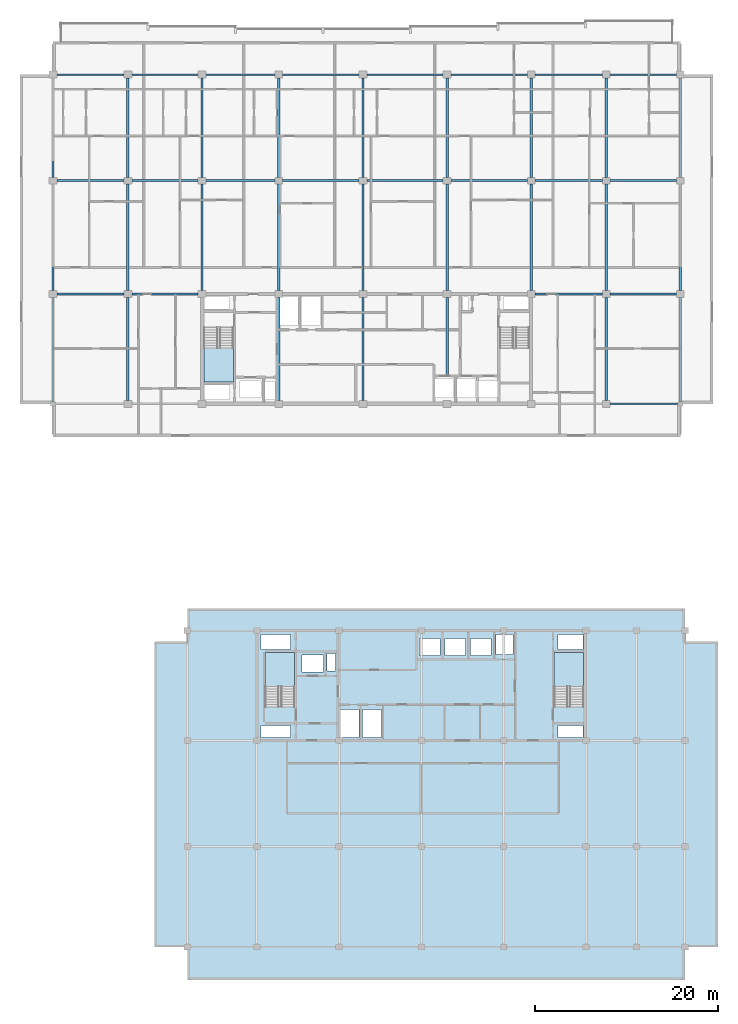
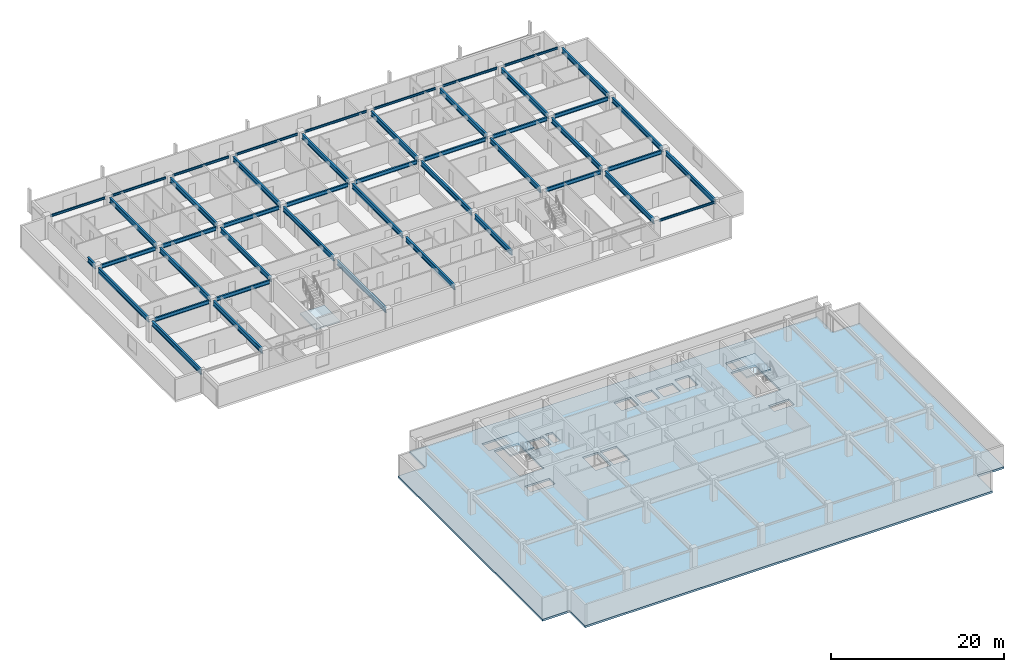
# One storey, part 2 of 17: 46 beams, 4 slabs, 3 elements without a shape of their own.
"""IFC4 building model written with IfcOpenShell, lengths in metres."""

from ifc_helpers import new_model, si_unit, direction, frame, origin, origin_2d, place, context, subcontext, project, spatial, polyline, i_section, outline, extrude, material, layer, layer_set, material_profile, profile_set, type_object, element, aggregate, save


model = new_model("IFC4")

# Units and contexts
model_context = context("Model", 3, precision=1e-05, world=origin(), true_north=direction((0.0, 1.0)))
body_context = subcontext(model_context, "Body", "Model", "MODEL_VIEW")
ifc_project = project(units=[si_unit("LENGTHUNIT", "METRE"), si_unit("AREAUNIT", "SQUARE_METRE"), si_unit("VOLUMEUNIT", "CUBIC_METRE"), si_unit("PLANEANGLEUNIT", "RADIAN"), si_unit("MASSUNIT", "GRAM", prefix="KILO")], contexts=[model_context])

# Site, building, storey
site_placement = place(None, origin())
site = spatial("IfcSite", under=ifc_project, at=site_placement, CompositionType="ELEMENT")
building_placement = place(site_placement, origin())
building = spatial("IfcBuilding", under=site, at=building_placement, Name="Korimba Cascade Residences", CompositionType="ELEMENT")
storey_placement = place(building_placement, frame((0.0, 0.0, 204.35009765625)))
storey = spatial("IfcBuildingStorey", under=building, at=storey_placement, Name="L59", CompositionType="ELEMENT", Elevation=204.35009765625)

# Beams
ifc_material_1 = material(Name="Steel S355", Category="steel")
ifc_material_profile_1 = material_profile(ifc_material_1, i_section(OverallWidth=0.165771484375, OverallDepth=0.306640625, WebThickness=0.006591796875, FlangeThickness=0.01171875, FilletRadius=0.0087890625, at=origin_2d()), Name="Steel S355")
ifc_profile_set_1 = profile_set([ifc_material_profile_1], Name="Steel S355")
beam_type_1 = type_object("IfcBeamType", Name="BM-STL-UB305", PredefinedType="SPANDREL", material=ifc_profile_set_1)
beam_1_placement = place(storey_placement, frame((120.72509765625, 55.199951171875, 2.82666015625), z_axis=(1.0, 0.0, 0.0), x_axis=(0.0, 1.0, 0.0)))
element("IfcBeam", 1, at=beam_1_placement, inside=storey, type_object=beam_type_1, Name="L59 T1 E-W Girder Y1 Bay 8", PredefinedType="SPANDREL", context=body_context, shape_type="SweptSolid", body=[
    extrude(i_section(OverallWidth=0.165771484375, OverallDepth=0.306640625, WebThickness=0.006591796875, FlangeThickness=0.01171875, FilletRadius=0.0087890625, at=origin_2d()), origin(), (0.0, 0.0, 1.0), 7.39990234375),
])
beam_2_placement = place(storey_placement, frame((60.22509765625, 91.199951171875, 2.82666015625), z_axis=(1.0, 0.0, 0.0), x_axis=(0.0, 1.0, 0.0)))
element("IfcBeam", 2, at=beam_2_placement, inside=storey, type_object=beam_type_1, Name="L59 T1 E-W Girder Y4 Bay 1", PredefinedType="SPANDREL", context=body_context, shape_type="SweptSolid", body=[
    extrude(i_section(OverallWidth=0.165771484375, OverallDepth=0.306640625, WebThickness=0.006591796875, FlangeThickness=0.01171875, FilletRadius=0.0087890625, at=origin_2d()), origin(), (0.0, 0.0, 1.0), 7.349853515625),
])
beam_3_placement = place(storey_placement, frame((68.425048828125, 91.199951171875, 2.82666015625), z_axis=(1.0, 0.0, 0.0), x_axis=(0.0, 1.0, 0.0)))
element("IfcBeam", 3, at=beam_3_placement, inside=storey, type_object=beam_type_1, Name="L59 T1 E-W Girder Y4 Bay 2", PredefinedType="SPANDREL", context=body_context, shape_type="SweptSolid", body=[
    extrude(i_section(OverallWidth=0.165771484375, OverallDepth=0.306640625, WebThickness=0.006591796875, FlangeThickness=0.01171875, FilletRadius=0.0087890625, at=origin_2d()), origin(), (0.0, 0.0, 1.0), 7.25),
])
beam_4_placement = place(storey_placement, frame((76.52490234375, 91.199951171875, 2.82666015625), z_axis=(1.0, 0.0, 0.0), x_axis=(0.0, 1.0, 0.0)))
element("IfcBeam", 4, at=beam_4_placement, inside=storey, type_object=beam_type_1, Name="L59 T1 E-W Girder Y4 Bay 3", PredefinedType="SPANDREL", context=body_context, shape_type="SweptSolid", body=[
    extrude(i_section(OverallWidth=0.165771484375, OverallDepth=0.306640625, WebThickness=0.006591796875, FlangeThickness=0.01171875, FilletRadius=0.0087890625, at=origin_2d()), origin(), (0.0, 0.0, 1.0), 7.550048828125),
])
beam_5_placement = place(storey_placement, frame((84.925048828125, 91.199951171875, 2.82666015625), z_axis=(1.0, 0.0, 0.0), x_axis=(0.0, 1.0, 0.0)))
element("IfcBeam", 5, at=beam_5_placement, inside=storey, type_object=beam_type_1, Name="L59 T1 E-W Girder Y4 Bay 4", PredefinedType="SPANDREL", context=body_context, shape_type="SweptSolid", body=[
    extrude(i_section(OverallWidth=0.165771484375, OverallDepth=0.306640625, WebThickness=0.006591796875, FlangeThickness=0.01171875, FilletRadius=0.0087890625, at=origin_2d()), origin(), (0.0, 0.0, 1.0), 8.349853515625),
])
for number, where, z_axis, x_axis, name in (
    (6, (94.125, 91.199951171875, 2.82666015625), (1.0, 0.0, 0.0), (0.0, 1.0, 0.0), "L59 T1 E-W Girder Y4 Bay 5"),
    (7, (103.324951171875, 91.199951171875, 2.82666015625), (1.0, 0.0, 0.0), (0.0, 1.0, 0.0), "L59 T1 E-W Girder Y4 Bay 6"),
):
    element("IfcBeam", number, at=place(storey_placement, frame(where, z_axis=z_axis, x_axis=x_axis)), inside=storey, type_object=beam_type_1, Name=name, PredefinedType="SPANDREL", context=body_context, shape_type="SweptSolid", body=[
        extrude(i_section(OverallWidth=0.165771484375, OverallDepth=0.306640625, WebThickness=0.006591796875, FlangeThickness=0.01171875, FilletRadius=0.0087890625, at=origin_2d()), origin(), (0.0, 0.0, 1.0), 8.35009765625),
    ])
beam_6_placement = place(storey_placement, frame((112.52490234375, 91.199951171875, 2.82666015625), z_axis=(1.0, 0.0, 0.0), x_axis=(0.0, 1.0, 0.0)))
element("IfcBeam", 8, at=beam_6_placement, inside=storey, type_object=beam_type_1, Name="L59 T1 E-W Girder Y4 Bay 7", PredefinedType="SPANDREL", context=body_context, shape_type="SweptSolid", body=[
    extrude(i_section(OverallWidth=0.165771484375, OverallDepth=0.306640625, WebThickness=0.006591796875, FlangeThickness=0.01171875, FilletRadius=0.0087890625, at=origin_2d()), origin(), (0.0, 0.0, 1.0), 7.35009765625),
])
beam_7_placement = place(storey_placement, frame((120.72509765625, 91.199951171875, 2.82666015625), z_axis=(1.0, 0.0, 0.0), x_axis=(0.0, 1.0, 0.0)))
element("IfcBeam", 9, at=beam_7_placement, inside=storey, type_object=beam_type_1, Name="L59 T1 E-W Girder Y4 Bay 8", PredefinedType="SPANDREL", context=body_context, shape_type="SweptSolid", body=[
    extrude(i_section(OverallWidth=0.165771484375, OverallDepth=0.306640625, WebThickness=0.006591796875, FlangeThickness=0.01171875, FilletRadius=0.0087890625, at=origin_2d()), origin(), (0.0, 0.0, 1.0), 7.25),
])
ifc_material_profile_2 = material_profile(ifc_material_1, i_section(OverallWidth=0.2099609375, OverallDepth=0.53662109375, WebThickness=0.0107421875, FlangeThickness=0.017333984375, FilletRadius=0.0126953125, at=origin_2d()), Name="Steel S355")
ifc_profile_set_2 = profile_set([ifc_material_profile_2], Name="Steel S355")
beam_type_2 = type_object("IfcBeamType", Name="BM-STL-UB533", PredefinedType="BEAM", material=ifc_profile_set_2)
beam_8_placement = place(storey_placement, frame((60.22509765625, 67.199951171875, 2.711669921875), z_axis=(1.0, 0.0, 0.0), x_axis=(0.0, 1.0, 0.0)))
element("IfcBeam", 10, at=beam_8_placement, inside=storey, type_object=beam_type_2, Name="L59 T1 E-W Girder Y2 Bay 1", PredefinedType="BEAM", context=body_context, shape_type="SweptSolid", body=[
    extrude(i_section(OverallWidth=0.2099609375, OverallDepth=0.53662109375, WebThickness=0.0107421875, FlangeThickness=0.017333984375, FilletRadius=0.0126953125, at=origin_2d()), origin(), (0.0, 0.0, 1.0), 7.349853515625),
])
beam_9_placement = place(storey_placement, frame((68.425048828125, 67.199951171875, 2.711669921875), z_axis=(1.0, 0.0, 0.0), x_axis=(0.0, 1.0, 0.0)))
element("IfcBeam", 11, at=beam_9_placement, inside=storey, type_object=beam_type_2, Name="L59 T1 E-W Girder Y2 Bay 2", PredefinedType="BEAM", context=body_context, shape_type="SweptSolid", body=[
    extrude(i_section(OverallWidth=0.2099609375, OverallDepth=0.53662109375, WebThickness=0.0107421875, FlangeThickness=0.017333984375, FilletRadius=0.0126953125, at=origin_2d()), origin(), (0.0, 0.0, 1.0), 7.25),
])
beam_10_placement = place(storey_placement, frame((112.52490234375, 67.199951171875, 2.711669921875), z_axis=(1.0, 0.0, 0.0), x_axis=(0.0, 1.0, 0.0)))
element("IfcBeam", 12, at=beam_10_placement, inside=storey, type_object=beam_type_2, Name="L59 T1 E-W Girder Y2 Bay 7", PredefinedType="BEAM", context=body_context, shape_type="SweptSolid", body=[
    extrude(i_section(OverallWidth=0.2099609375, OverallDepth=0.53662109375, WebThickness=0.0107421875, FlangeThickness=0.017333984375, FilletRadius=0.0126953125, at=origin_2d()), origin(), (0.0, 0.0, 1.0), 7.35009765625),
])
beam_11_placement = place(storey_placement, frame((120.72509765625, 67.199951171875, 2.711669921875), z_axis=(1.0, 0.0, 0.0), x_axis=(0.0, 1.0, 0.0)))
element("IfcBeam", 13, at=beam_11_placement, inside=storey, type_object=beam_type_2, Name="L59 T1 E-W Girder Y2 Bay 8", PredefinedType="BEAM", context=body_context, shape_type="SweptSolid", body=[
    extrude(i_section(OverallWidth=0.2099609375, OverallDepth=0.53662109375, WebThickness=0.0107421875, FlangeThickness=0.017333984375, FilletRadius=0.0126953125, at=origin_2d()), origin(), (0.0, 0.0, 1.0), 7.25),
])
beam_12_placement = place(storey_placement, frame((60.22509765625, 79.60009765625, 2.711669921875), z_axis=(1.0, 0.0, 0.0), x_axis=(0.0, 1.0, 0.0)))
element("IfcBeam", 14, at=beam_12_placement, inside=storey, type_object=beam_type_2, Name="L59 T1 E-W Girder Y3 Bay 1", PredefinedType="BEAM", context=body_context, shape_type="SweptSolid", body=[
    extrude(i_section(OverallWidth=0.2099609375, OverallDepth=0.53662109375, WebThickness=0.0107421875, FlangeThickness=0.017333984375, FilletRadius=0.0126953125, at=origin_2d()), origin(), (0.0, 0.0, 1.0), 7.349853515625),
])
beam_13_placement = place(storey_placement, frame((68.425048828125, 79.60009765625, 2.711669921875), z_axis=(1.0, 0.0, 0.0), x_axis=(0.0, 1.0, 0.0)))
element("IfcBeam", 15, at=beam_13_placement, inside=storey, type_object=beam_type_2, Name="L59 T1 E-W Girder Y3 Bay 2", PredefinedType="BEAM", context=body_context, shape_type="SweptSolid", body=[
    extrude(i_section(OverallWidth=0.2099609375, OverallDepth=0.53662109375, WebThickness=0.0107421875, FlangeThickness=0.017333984375, FilletRadius=0.0126953125, at=origin_2d()), origin(), (0.0, 0.0, 1.0), 7.25),
])
beam_14_placement = place(storey_placement, frame((76.52490234375, 79.60009765625, 2.711669921875), z_axis=(1.0, 0.0, 0.0), x_axis=(0.0, 1.0, 0.0)))
element("IfcBeam", 16, at=beam_14_placement, inside=storey, type_object=beam_type_2, Name="L59 T1 E-W Girder Y3 Bay 3", PredefinedType="BEAM", context=body_context, shape_type="SweptSolid", body=[
    extrude(i_section(OverallWidth=0.2099609375, OverallDepth=0.53662109375, WebThickness=0.0107421875, FlangeThickness=0.017333984375, FilletRadius=0.0126953125, at=origin_2d()), origin(), (0.0, 0.0, 1.0), 7.550048828125),
])
beam_15_placement = place(storey_placement, frame((84.925048828125, 79.60009765625, 2.711669921875), z_axis=(1.0, 0.0, 0.0), x_axis=(0.0, 1.0, 0.0)))
element("IfcBeam", 17, at=beam_15_placement, inside=storey, type_object=beam_type_2, Name="L59 T1 E-W Girder Y3 Bay 4", PredefinedType="BEAM", context=body_context, shape_type="SweptSolid", body=[
    extrude(i_section(OverallWidth=0.2099609375, OverallDepth=0.53662109375, WebThickness=0.0107421875, FlangeThickness=0.017333984375, FilletRadius=0.0126953125, at=origin_2d()), origin(), (0.0, 0.0, 1.0), 8.349853515625),
])
for number, where, z_axis, x_axis, name in (
    (18, (94.125, 79.60009765625, 2.711669921875), (1.0, 0.0, 0.0), (0.0, 1.0, 0.0), "L59 T1 E-W Girder Y3 Bay 5"),
    (19, (103.324951171875, 79.60009765625, 2.711669921875), (1.0, 0.0, 0.0), (0.0, 1.0, 0.0), "L59 T1 E-W Girder Y3 Bay 6"),
):
    element("IfcBeam", number, at=place(storey_placement, frame(where, z_axis=z_axis, x_axis=x_axis)), inside=storey, type_object=beam_type_2, Name=name, PredefinedType="BEAM", context=body_context, shape_type="SweptSolid", body=[
        extrude(i_section(OverallWidth=0.2099609375, OverallDepth=0.53662109375, WebThickness=0.0107421875, FlangeThickness=0.017333984375, FilletRadius=0.0126953125, at=origin_2d()), origin(), (0.0, 0.0, 1.0), 8.35009765625),
    ])
beam_16_placement = place(storey_placement, frame((112.52490234375, 79.60009765625, 2.711669921875), z_axis=(1.0, 0.0, 0.0), x_axis=(0.0, 1.0, 0.0)))
element("IfcBeam", 20, at=beam_16_placement, inside=storey, type_object=beam_type_2, Name="L59 T1 E-W Girder Y3 Bay 7", PredefinedType="BEAM", context=body_context, shape_type="SweptSolid", body=[
    extrude(i_section(OverallWidth=0.2099609375, OverallDepth=0.53662109375, WebThickness=0.0107421875, FlangeThickness=0.017333984375, FilletRadius=0.0126953125, at=origin_2d()), origin(), (0.0, 0.0, 1.0), 7.35009765625),
])
beam_17_placement = place(storey_placement, frame((120.72509765625, 79.60009765625, 2.711669921875), z_axis=(1.0, 0.0, 0.0), x_axis=(0.0, 1.0, 0.0)))
element("IfcBeam", 21, at=beam_17_placement, inside=storey, type_object=beam_type_2, Name="L59 T1 E-W Girder Y3 Bay 8", PredefinedType="BEAM", context=body_context, shape_type="SweptSolid", body=[
    extrude(i_section(OverallWidth=0.2099609375, OverallDepth=0.53662109375, WebThickness=0.0107421875, FlangeThickness=0.017333984375, FilletRadius=0.0126953125, at=origin_2d()), origin(), (0.0, 0.0, 1.0), 7.25),
])
ifc_material_profile_3 = material_profile(ifc_material_1, i_section(OverallWidth=0.255859375, OverallDepth=0.69287109375, WebThickness=0.014404296875, FlangeThickness=0.023681640625, FilletRadius=0.01513671875, at=origin_2d()), Name="Steel S355")
ifc_profile_set_3 = profile_set([ifc_material_profile_3], Name="Steel S355")
beam_type_3 = type_object("IfcBeamType", Name="BM-STL-UB686", PredefinedType="BEAM", material=ifc_profile_set_3)
beam_18_placement = place(storey_placement, frame((59.800048828125, 55.425048828125, 2.633544921875), z_axis=(0.0, 1.0, 0.0), x_axis=(-1.0, 0.0, 0.0)))
element("IfcBeam", 22, at=beam_18_placement, inside=storey, type_object=beam_type_3, Name="L59 T1 N-S Girder X1 Seg 1", PredefinedType="BEAM", context=body_context, shape_type="SweptSolid", body=[
    extrude(i_section(OverallWidth=0.255859375, OverallDepth=0.69287109375, WebThickness=0.014404296875, FlangeThickness=0.023681640625, FilletRadius=0.01513671875, at=origin_2d()), origin(), (0.0, 0.0, 1.0), 11.39990234375),
])
beam_19_placement = place(storey_placement, frame((59.800048828125, 67.574951171875, 2.633544921875), z_axis=(0.0, 1.0, 0.0), x_axis=(-1.0, 0.0, 0.0)))
element("IfcBeam", 23, at=beam_19_placement, inside=storey, type_object=beam_type_3, Name="L59 T1 N-S Girder X1 Seg 2", PredefinedType="BEAM", context=body_context, shape_type="SweptSolid", body=[
    extrude(i_section(OverallWidth=0.255859375, OverallDepth=0.69287109375, WebThickness=0.014404296875, FlangeThickness=0.023681640625, FilletRadius=0.01513671875, at=origin_2d()), origin(), (0.0, 0.0, 1.0), 11.650146484375),
])
beam_20_placement = place(storey_placement, frame((59.800048828125, 79.97509765625, 2.633544921875), z_axis=(0.0, 1.0, 0.0), x_axis=(-1.0, 0.0, 0.0)))
element("IfcBeam", 24, at=beam_20_placement, inside=storey, type_object=beam_type_3, Name="L59 T1 N-S Girder X1 Seg 3", PredefinedType="BEAM", context=body_context, shape_type="SweptSolid", body=[
    extrude(i_section(OverallWidth=0.255859375, OverallDepth=0.69287109375, WebThickness=0.014404296875, FlangeThickness=0.023681640625, FilletRadius=0.01513671875, at=origin_2d()), origin(), (0.0, 0.0, 1.0), 1.724853515625),
])
beam_21_placement = place(storey_placement, frame((68.0, 55.574951171875, 2.633544921875), z_axis=(0.0, 1.0, 0.0), x_axis=(-1.0, 0.0, 0.0)))
element("IfcBeam", 25, at=beam_21_placement, inside=storey, type_object=beam_type_3, Name="L59 T1 N-S Girder X2 Seg 1", PredefinedType="BEAM", context=body_context, shape_type="SweptSolid", body=[
    extrude(i_section(OverallWidth=0.255859375, OverallDepth=0.69287109375, WebThickness=0.014404296875, FlangeThickness=0.023681640625, FilletRadius=0.01513671875, at=origin_2d()), origin(), (0.0, 0.0, 1.0), 11.25),
])
beam_22_placement = place(storey_placement, frame((68.0, 67.574951171875, 2.633544921875), z_axis=(0.0, 1.0, 0.0), x_axis=(-1.0, 0.0, 0.0)))
element("IfcBeam", 26, at=beam_22_placement, inside=storey, type_object=beam_type_3, Name="L59 T1 N-S Girder X2 Seg 2", PredefinedType="BEAM", context=body_context, shape_type="SweptSolid", body=[
    extrude(i_section(OverallWidth=0.255859375, OverallDepth=0.69287109375, WebThickness=0.014404296875, FlangeThickness=0.023681640625, FilletRadius=0.01513671875, at=origin_2d()), origin(), (0.0, 0.0, 1.0), 11.650146484375),
])
beam_23_placement = place(storey_placement, frame((68.0, 79.97509765625, 2.633544921875), z_axis=(0.0, 1.0, 0.0), x_axis=(-1.0, 0.0, 0.0)))
element("IfcBeam", 27, at=beam_23_placement, inside=storey, type_object=beam_type_3, Name="L59 T1 N-S Girder X2 Seg 3", PredefinedType="BEAM", context=body_context, shape_type="SweptSolid", body=[
    extrude(i_section(OverallWidth=0.255859375, OverallDepth=0.69287109375, WebThickness=0.014404296875, FlangeThickness=0.023681640625, FilletRadius=0.01513671875, at=origin_2d()), origin(), (0.0, 0.0, 1.0), 10.849853515625),
])
beam_24_placement = place(storey_placement, frame((76.10009765625, 67.574951171875, 2.633544921875), z_axis=(0.0, 1.0, 0.0), x_axis=(-1.0, 0.0, 0.0)))
element("IfcBeam", 28, at=beam_24_placement, inside=storey, type_object=beam_type_3, Name="L59 T1 N-S Girder X3 Seg 2", PredefinedType="BEAM", context=body_context, shape_type="SweptSolid", body=[
    extrude(i_section(OverallWidth=0.255859375, OverallDepth=0.69287109375, WebThickness=0.014404296875, FlangeThickness=0.023681640625, FilletRadius=0.01513671875, at=origin_2d()), origin(), (0.0, 0.0, 1.0), 11.650146484375),
])
beam_25_placement = place(storey_placement, frame((76.10009765625, 79.97509765625, 2.633544921875), z_axis=(0.0, 1.0, 0.0), x_axis=(-1.0, 0.0, 0.0)))
element("IfcBeam", 29, at=beam_25_placement, inside=storey, type_object=beam_type_3, Name="L59 T1 N-S Girder X3 Seg 3", PredefinedType="BEAM", context=body_context, shape_type="SweptSolid", body=[
    extrude(i_section(OverallWidth=0.255859375, OverallDepth=0.69287109375, WebThickness=0.014404296875, FlangeThickness=0.023681640625, FilletRadius=0.01513671875, at=origin_2d()), origin(), (0.0, 0.0, 1.0), 10.849853515625),
])
beam_26_placement = place(storey_placement, frame((84.5, 55.574951171875, 2.633544921875), z_axis=(0.0, 1.0, 0.0), x_axis=(-1.0, 0.0, 0.0)))
element("IfcBeam", 30, at=beam_26_placement, inside=storey, type_object=beam_type_3, Name="L59 T1 N-S Girder X4 Seg 1", PredefinedType="BEAM", context=body_context, shape_type="SweptSolid", body=[
    extrude(i_section(OverallWidth=0.255859375, OverallDepth=0.69287109375, WebThickness=0.014404296875, FlangeThickness=0.023681640625, FilletRadius=0.01513671875, at=origin_2d()), origin(), (0.0, 0.0, 1.0), 11.25),
])
beam_27_placement = place(storey_placement, frame((84.5, 67.574951171875, 2.633544921875), z_axis=(0.0, 1.0, 0.0), x_axis=(-1.0, 0.0, 0.0)))
element("IfcBeam", 31, at=beam_27_placement, inside=storey, type_object=beam_type_3, Name="L59 T1 N-S Girder X4 Seg 2", PredefinedType="BEAM", context=body_context, shape_type="SweptSolid", body=[
    extrude(i_section(OverallWidth=0.255859375, OverallDepth=0.69287109375, WebThickness=0.014404296875, FlangeThickness=0.023681640625, FilletRadius=0.01513671875, at=origin_2d()), origin(), (0.0, 0.0, 1.0), 11.650146484375),
])
beam_28_placement = place(storey_placement, frame((84.5, 79.97509765625, 2.633544921875), z_axis=(0.0, 1.0, 0.0), x_axis=(-1.0, 0.0, 0.0)))
element("IfcBeam", 32, at=beam_28_placement, inside=storey, type_object=beam_type_3, Name="L59 T1 N-S Girder X4 Seg 3", PredefinedType="BEAM", context=body_context, shape_type="SweptSolid", body=[
    extrude(i_section(OverallWidth=0.255859375, OverallDepth=0.69287109375, WebThickness=0.014404296875, FlangeThickness=0.023681640625, FilletRadius=0.01513671875, at=origin_2d()), origin(), (0.0, 0.0, 1.0), 10.849853515625),
])
beam_29_placement = place(storey_placement, frame((93.699951171875, 55.574951171875, 2.633544921875), z_axis=(0.0, 1.0, 0.0), x_axis=(-1.0, 0.0, 0.0)))
element("IfcBeam", 33, at=beam_29_placement, inside=storey, type_object=beam_type_3, Name="L59 T1 N-S Girder X5 Seg 1", PredefinedType="BEAM", context=body_context, shape_type="SweptSolid", body=[
    extrude(i_section(OverallWidth=0.255859375, OverallDepth=0.69287109375, WebThickness=0.014404296875, FlangeThickness=0.023681640625, FilletRadius=0.01513671875, at=origin_2d()), origin(), (0.0, 0.0, 1.0), 11.25),
])
beam_30_placement = place(storey_placement, frame((93.699951171875, 67.574951171875, 2.633544921875), z_axis=(0.0, 1.0, 0.0), x_axis=(-1.0, 0.0, 0.0)))
element("IfcBeam", 34, at=beam_30_placement, inside=storey, type_object=beam_type_3, Name="L59 T1 N-S Girder X5 Seg 2", PredefinedType="BEAM", context=body_context, shape_type="SweptSolid", body=[
    extrude(i_section(OverallWidth=0.255859375, OverallDepth=0.69287109375, WebThickness=0.014404296875, FlangeThickness=0.023681640625, FilletRadius=0.01513671875, at=origin_2d()), origin(), (0.0, 0.0, 1.0), 11.650146484375),
])
beam_31_placement = place(storey_placement, frame((93.699951171875, 79.97509765625, 2.633544921875), z_axis=(0.0, 1.0, 0.0), x_axis=(-1.0, 0.0, 0.0)))
element("IfcBeam", 35, at=beam_31_placement, inside=storey, type_object=beam_type_3, Name="L59 T1 N-S Girder X5 Seg 3", PredefinedType="BEAM", context=body_context, shape_type="SweptSolid", body=[
    extrude(i_section(OverallWidth=0.255859375, OverallDepth=0.69287109375, WebThickness=0.014404296875, FlangeThickness=0.023681640625, FilletRadius=0.01513671875, at=origin_2d()), origin(), (0.0, 0.0, 1.0), 10.849853515625),
])
beam_32_placement = place(storey_placement, frame((102.89990234375, 58.260009765625, 2.633544921875), z_axis=(0.0, 1.0, 0.0), x_axis=(-1.0, 0.0, 0.0)))
element("IfcBeam", 36, at=beam_32_placement, inside=storey, type_object=beam_type_3, Name="L59 T1 N-S Girder X6 Seg 1", PredefinedType="BEAM", context=body_context, shape_type="SweptSolid", body=[
    extrude(i_section(OverallWidth=0.255859375, OverallDepth=0.69287109375, WebThickness=0.014404296875, FlangeThickness=0.023681640625, FilletRadius=0.01513671875, at=origin_2d()), origin(), (0.0, 0.0, 1.0), 8.56494140625),
])
beam_33_placement = place(storey_placement, frame((102.89990234375, 67.574951171875, 2.633544921875), z_axis=(0.0, 1.0, 0.0), x_axis=(-1.0, 0.0, 0.0)))
element("IfcBeam", 37, at=beam_33_placement, inside=storey, type_object=beam_type_3, Name="L59 T1 N-S Girder X6 Seg 2", PredefinedType="BEAM", context=body_context, shape_type="SweptSolid", body=[
    extrude(i_section(OverallWidth=0.255859375, OverallDepth=0.69287109375, WebThickness=0.014404296875, FlangeThickness=0.023681640625, FilletRadius=0.01513671875, at=origin_2d()), origin(), (0.0, 0.0, 1.0), 11.650146484375),
])
beam_34_placement = place(storey_placement, frame((102.89990234375, 79.97509765625, 2.633544921875), z_axis=(0.0, 1.0, 0.0), x_axis=(-1.0, 0.0, 0.0)))
element("IfcBeam", 38, at=beam_34_placement, inside=storey, type_object=beam_type_3, Name="L59 T1 N-S Girder X6 Seg 3", PredefinedType="BEAM", context=body_context, shape_type="SweptSolid", body=[
    extrude(i_section(OverallWidth=0.255859375, OverallDepth=0.69287109375, WebThickness=0.014404296875, FlangeThickness=0.023681640625, FilletRadius=0.01513671875, at=origin_2d()), origin(), (0.0, 0.0, 1.0), 10.849853515625),
])
beam_35_placement = place(storey_placement, frame((112.10009765625, 67.574951171875, 2.633544921875), z_axis=(0.0, 1.0, 0.0), x_axis=(-1.0, 0.0, 0.0)))
element("IfcBeam", 39, at=beam_35_placement, inside=storey, type_object=beam_type_3, Name="L59 T1 N-S Girder X7 Seg 2", PredefinedType="BEAM", context=body_context, shape_type="SweptSolid", body=[
    extrude(i_section(OverallWidth=0.255859375, OverallDepth=0.69287109375, WebThickness=0.014404296875, FlangeThickness=0.023681640625, FilletRadius=0.01513671875, at=origin_2d()), origin(), (0.0, 0.0, 1.0), 11.650146484375),
])
beam_36_placement = place(storey_placement, frame((112.10009765625, 79.97509765625, 2.633544921875), z_axis=(0.0, 1.0, 0.0), x_axis=(-1.0, 0.0, 0.0)))
element("IfcBeam", 40, at=beam_36_placement, inside=storey, type_object=beam_type_3, Name="L59 T1 N-S Girder X7 Seg 3", PredefinedType="BEAM", context=body_context, shape_type="SweptSolid", body=[
    extrude(i_section(OverallWidth=0.255859375, OverallDepth=0.69287109375, WebThickness=0.014404296875, FlangeThickness=0.023681640625, FilletRadius=0.01513671875, at=origin_2d()), origin(), (0.0, 0.0, 1.0), 10.849853515625),
])
beam_37_placement = place(storey_placement, frame((120.300048828125, 55.574951171875, 2.633544921875), z_axis=(0.0, 1.0, 0.0), x_axis=(-1.0, 0.0, 0.0)))
element("IfcBeam", 41, at=beam_37_placement, inside=storey, type_object=beam_type_3, Name="L59 T1 N-S Girder X8 Seg 1", PredefinedType="BEAM", context=body_context, shape_type="SweptSolid", body=[
    extrude(i_section(OverallWidth=0.255859375, OverallDepth=0.69287109375, WebThickness=0.014404296875, FlangeThickness=0.023681640625, FilletRadius=0.01513671875, at=origin_2d()), origin(), (0.0, 0.0, 1.0), 11.25),
])
beam_38_placement = place(storey_placement, frame((120.300048828125, 67.574951171875, 2.633544921875), z_axis=(0.0, 1.0, 0.0), x_axis=(-1.0, 0.0, 0.0)))
element("IfcBeam", 42, at=beam_38_placement, inside=storey, type_object=beam_type_3, Name="L59 T1 N-S Girder X8 Seg 2", PredefinedType="BEAM", context=body_context, shape_type="SweptSolid", body=[
    extrude(i_section(OverallWidth=0.255859375, OverallDepth=0.69287109375, WebThickness=0.014404296875, FlangeThickness=0.023681640625, FilletRadius=0.01513671875, at=origin_2d()), origin(), (0.0, 0.0, 1.0), 11.650146484375),
])
beam_39_placement = place(storey_placement, frame((120.300048828125, 79.97509765625, 2.633544921875), z_axis=(0.0, 1.0, 0.0), x_axis=(-1.0, 0.0, 0.0)))
element("IfcBeam", 43, at=beam_39_placement, inside=storey, type_object=beam_type_3, Name="L59 T1 N-S Girder X8 Seg 3", PredefinedType="BEAM", context=body_context, shape_type="SweptSolid", body=[
    extrude(i_section(OverallWidth=0.255859375, OverallDepth=0.69287109375, WebThickness=0.014404296875, FlangeThickness=0.023681640625, FilletRadius=0.01513671875, at=origin_2d()), origin(), (0.0, 0.0, 1.0), 10.849853515625),
])
beam_40_placement = place(storey_placement, frame((128.39990234375, 55.425048828125, 2.633544921875), z_axis=(0.0, 1.0, 0.0), x_axis=(-1.0, 0.0, 0.0)))
element("IfcBeam", 44, at=beam_40_placement, inside=storey, type_object=beam_type_3, Name="L59 T1 N-S Girder X9 Seg 1", PredefinedType="BEAM", context=body_context, shape_type="SweptSolid", body=[
    extrude(i_section(OverallWidth=0.255859375, OverallDepth=0.69287109375, WebThickness=0.014404296875, FlangeThickness=0.023681640625, FilletRadius=0.01513671875, at=origin_2d()), origin(), (0.0, 0.0, 1.0), 11.39990234375),
])
beam_41_placement = place(storey_placement, frame((128.39990234375, 67.574951171875, 2.633544921875), z_axis=(0.0, 1.0, 0.0), x_axis=(-1.0, 0.0, 0.0)))
element("IfcBeam", 45, at=beam_41_placement, inside=storey, type_object=beam_type_3, Name="L59 T1 N-S Girder X9 Seg 2", PredefinedType="BEAM", context=body_context, shape_type="SweptSolid", body=[
    extrude(i_section(OverallWidth=0.255859375, OverallDepth=0.69287109375, WebThickness=0.014404296875, FlangeThickness=0.023681640625, FilletRadius=0.01513671875, at=origin_2d()), origin(), (0.0, 0.0, 1.0), 11.650146484375),
])
beam_42_placement = place(storey_placement, frame((128.39990234375, 79.97509765625, 2.633544921875), z_axis=(0.0, 1.0, 0.0), x_axis=(-1.0, 0.0, 0.0)))
element("IfcBeam", 46, at=beam_42_placement, inside=storey, type_object=beam_type_3, Name="L59 T1 N-S Girder X9 Seg 3", PredefinedType="BEAM", context=body_context, shape_type="SweptSolid", body=[
    extrude(i_section(OverallWidth=0.255859375, OverallDepth=0.69287109375, WebThickness=0.014404296875, FlangeThickness=0.023681640625, FilletRadius=0.01513671875, at=origin_2d()), origin(), (0.0, 0.0, 1.0), 10.849853515625),
])

# Stair, slab
ifc_material_2 = material(Name="Concrete C50/60", Category="concrete")
stair_type_1 = type_object("IfcStairType", Name="STR-W1-18R-1806", PredefinedType="HALF_TURN_STAIR", material=ifc_material_2)
stair_1_placement = place(storey_placement, origin())
stair_1 = element("IfcStair", 47, at=stair_1_placement, inside=storey, type_object=stair_type_1, Name="L59 Tower 1 West Fire Stair ST-W1", PredefinedType="HALF_TURN_STAIR")
ifc_layer_1 = layer(ifc_material_2, 0.199951171875)
ifc_layer_set_1 = layer_set([ifc_layer_1], Name="Concrete C50/60")
slab_type_1 = type_object("IfcSlabType", Name="SLB-LND-220", PredefinedType="LANDING", material=ifc_layer_set_1)
slab_1_placement = place(storey_placement, frame((0.0, 0.0, 1.4248046875)))
slab_1 = element("IfcSlab", 48, at=slab_1_placement, type_object=slab_type_1, Name="ST-W1 landing 1", PredefinedType="LANDING", context=body_context, shape_type="SweptSolid", body=[
    extrude(outline(polyline([(76.300048828125, 61.31005859375), (76.300048828125, 57.60009765625), (79.5400390625, 57.60009765625), (79.5400390625, 61.31005859375), (76.300048828125, 61.31005859375)])), origin(), (0.0, 0.0, 1.0), 0.2001953125),
])
aggregate(stair_1, [slab_1])

stair_type_2 = type_object("IfcStairType", Name="STR-E1-18R-1806", PredefinedType="HALF_TURN_STAIR", material=ifc_material_2)
stair_2_placement = place(storey_placement, origin())
stair_2 = element("IfcStair", 49, at=stair_2_placement, inside=storey, type_object=stair_type_2, Name="L59 Tower 2 West Fire Stair ST-E1", PredefinedType="HALF_TURN_STAIR")
slab_2_placement = place(storey_placement, frame((0.0, 0.0, 1.4248046875)))
slab_2 = element("IfcSlab", 50, at=slab_2_placement, type_object=slab_type_1, Name="ST-E1 landing 1", PredefinedType="LANDING", context=body_context, shape_type="SweptSolid", body=[
    extrude(outline(polyline([(86.239990234375, 24.2900390625), (86.239990234375, 28.0), (83.0, 28.0), (83.0, 24.2900390625), (86.239990234375, 24.2900390625)])), origin(), (0.0, 0.0, 1.0), 0.2001953125),
])
aggregate(stair_2, [slab_2])

stair_type_3 = type_object("IfcStairType", Name="STR-E2-18R-1806", PredefinedType="HALF_TURN_STAIR", material=ifc_material_2)
stair_3_placement = place(storey_placement, origin())
stair_3 = element("IfcStair", 51, at=stair_3_placement, inside=storey, type_object=stair_type_3, Name="L59 Tower 2 East Fire Stair ST-E2", PredefinedType="HALF_TURN_STAIR")
slab_3_placement = place(storey_placement, frame((0.0, 0.0, 1.4248046875)))
slab_3 = element("IfcSlab", 52, at=slab_3_placement, type_object=slab_type_1, Name="ST-E2 landing 1", PredefinedType="LANDING", context=body_context, shape_type="SweptSolid", body=[
    extrude(outline(polyline([(117.840087890625, 24.2900390625), (117.840087890625, 28.0), (114.60009765625, 28.0), (114.60009765625, 24.2900390625), (117.840087890625, 24.2900390625)])), origin(), (0.0, 0.0, 1.0), 0.2001953125),
])
aggregate(stair_3, [slab_3])

# Slab
ifc_layer_2 = layer(ifc_material_2, 0.27001953125)
ifc_layer_set_2 = layer_set([ifc_layer_2], Name="Concrete C50/60")
slab_type_2 = type_object("IfcSlabType", Name="SLB-ROOF-270", PredefinedType="ROOF", material=ifc_layer_set_2)
slab_4_placement = place(storey_placement, frame((0.0, 0.0, -0.280029296875)))
element("IfcSlab", 53, at=slab_4_placement, inside=storey, type_object=slab_type_2, Name="L59 Tower 2 Crown Plant Roof Deck", PredefinedType="ROOF", context=body_context, shape_type="SweptSolid", body=[
    extrude(outline(polyline([(74.5, -7.800048828125), (128.89990234375, -7.800048828125), (128.89990234375, -4.199951171875), (132.5, -4.199951171875), (132.5, 29.199951171875), (128.89990234375, 29.199951171875), (128.89990234375, 32.800048828125), (74.5, 32.800048828125), (74.5, 29.199951171875), (70.89990234375, 29.199951171875), (70.89990234375, -4.199951171875), (74.5, -4.199951171875), (74.5, -7.800048828125)]), holes=[polyline([(86.239990234375, 22.0849609375), (86.239990234375, 28.0), (83.0, 28.0), (83.0, 22.0849609375), (86.239990234375, 22.0849609375)]), polyline([(117.840087890625, 22.0849609375), (117.840087890625, 28.0), (114.60009765625, 28.0), (114.60009765625, 22.0849609375), (117.840087890625, 22.0849609375)]), polyline([(87.030029296875, 25.8798828125), (89.3701171875, 25.8798828125), (89.3701171875, 27.719970703125), (87.030029296875, 27.719970703125), (87.030029296875, 25.8798828125)]), polyline([(99.8798828125, 27.679931640625), (102.1201171875, 27.679931640625), (102.1201171875, 29.52001953125), (99.8798828125, 29.52001953125), (99.8798828125, 27.679931640625)]), polyline([(102.679931640625, 27.679931640625), (104.919921875, 27.679931640625), (104.919921875, 29.52001953125), (102.679931640625, 29.52001953125), (102.679931640625, 27.679931640625)]), polyline([(105.47998046875, 27.679931640625), (107.719970703125, 27.679931640625), (107.719970703125, 29.52001953125), (105.47998046875, 29.52001953125), (105.47998046875, 27.679931640625)]), polyline([(89.780029296875, 25.97998046875), (90.719970703125, 25.97998046875), (90.719970703125, 27.919921875), (89.780029296875, 27.919921875), (89.780029296875, 25.97998046875)]), polyline([(82.530029296875, 18.72998046875), (85.800048828125, 18.72998046875), (85.800048828125, 20.0400390625), (82.530029296875, 20.0400390625), (82.530029296875, 18.72998046875)]), polyline([(82.530029296875, 28.360107421875), (85.800048828125, 28.360107421875), (85.800048828125, 29.969970703125), (82.530029296875, 29.969970703125), (82.530029296875, 28.360107421875)]), polyline([(108.22998046875, 27.780029296875), (110.1201171875, 27.780029296875), (110.1201171875, 29.969970703125), (108.22998046875, 29.969970703125), (108.22998046875, 27.780029296875)]), polyline([(91.22998046875, 18.72998046875), (93.27001953125, 18.72998046875), (93.27001953125, 21.780029296875), (91.22998046875, 21.780029296875), (91.22998046875, 18.72998046875)]), polyline([(93.6298828125, 18.72998046875), (95.719970703125, 18.72998046875), (95.719970703125, 21.780029296875), (93.6298828125, 21.780029296875), (93.6298828125, 18.72998046875)]), polyline([(115.02001953125, 18.72998046875), (117.739990234375, 18.72998046875), (117.739990234375, 20.0400390625), (115.02001953125, 20.0400390625), (115.02001953125, 18.72998046875)]), polyline([(115.02001953125, 28.360107421875), (117.739990234375, 28.360107421875), (117.739990234375, 29.969970703125), (115.02001953125, 29.969970703125), (115.02001953125, 28.360107421875)])]), origin(), (0.0, 0.0, 1.0), 0.280029296875),
])

save(model, "model.ifc")
